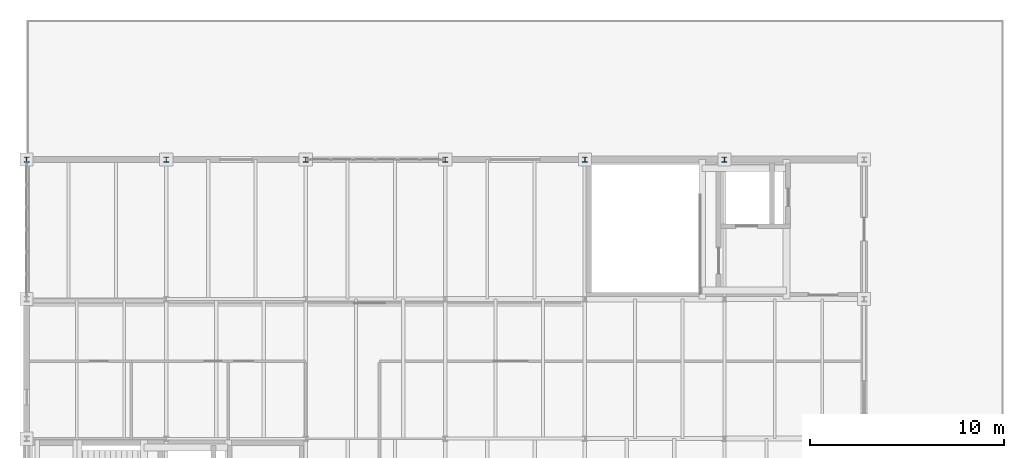
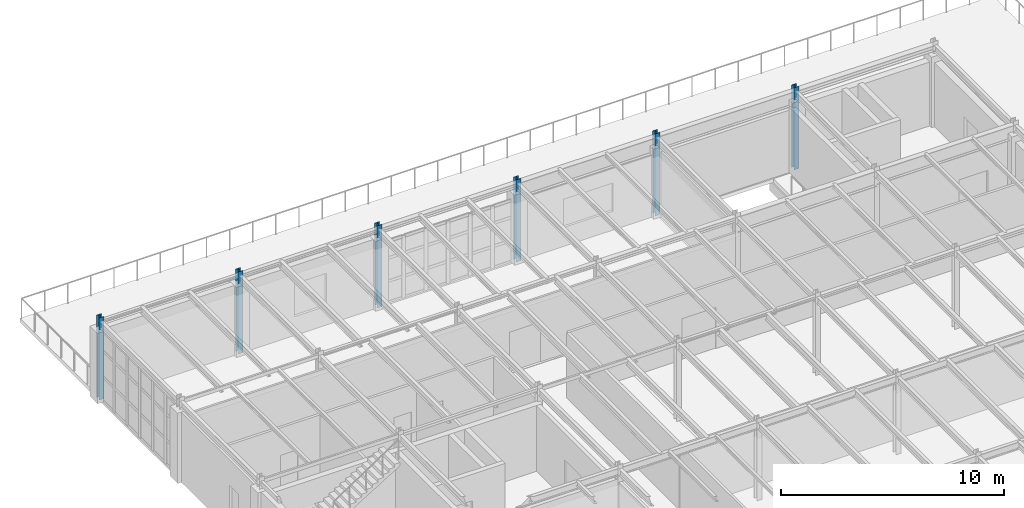
# One storey, part 6 of 36: 6 columns.
"""IFC4 building model written with IfcOpenShell, lengths in metres."""

import ifcopenshell
import ifcopenshell.guid

model = None  # the IFC model being written
_history = None  # IfcOwnerHistory: only IFC2X3 demands one
_inside = {}  # id of a spatial element -> (the spatial element, [elements in it])
_under = {}  # id of a project, library or spatial element -> (it, [spatial elements below it])
_declared = {}  # id of a project -> (the project, [libraries it declares])
_typed = {}  # id of a type object -> (the type object, [elements of that type])
_made_of = {}  # id of a material, layer set ... -> (it, [elements and type objects made of it])


def new_model(schema):
    """Start an empty IFC model of exactly this schema.

    Asked for "IFC4X3", IfcOpenShell would pick the latest addendum, in which some entities
    have other attributes; the version numbers below select the first issue.
    IFC2X3 requires an IfcOwnerHistory on every rooted entity: one is made here for all.
    """
    global model, _history
    if schema == "IFC4X3":
        model = ifcopenshell.file(schema_version=(4, 3, 0, 0))
    else:
        model = ifcopenshell.file(schema=schema)
    _inside.clear()
    _under.clear()
    _declared.clear()
    _typed.clear()
    _made_of.clear()
    _history = None
    if model.schema == "IFC2X3":
        org = make("IfcOrganization", Name="unknown")
        user = make(
            "IfcPersonAndOrganization",
            ThePerson=make("IfcPerson", FamilyName="unknown"),
            TheOrganization=org,
        )
        app = make(
            "IfcApplication",
            ApplicationDeveloper=org,
            Version="unknown",
            ApplicationFullName="unknown",
            ApplicationIdentifier="unknown",
        )
        _history = make(
            "IfcOwnerHistory",
            OwningUser=user,
            OwningApplication=app,
            ChangeAction="ADDED",
            CreationDate=0,
        )
    return model


def make(cls, **values):
    """One entity of the class cls with the attributes given. An attribute that is None is left unset."""
    return model.create_entity(
        cls, **{name: value for name, value in values.items() if value is not None}
    )


def rooted(cls, **values):
    """An entity with a GlobalId (a new one), such as an element, a storey or a relation."""
    return make(cls, GlobalId=ifcopenshell.guid.new(), OwnerHistory=_history, **values)


def si_unit(unit_type, name, prefix=None):
    """IfcSIUnit, for example si_unit("LENGTHUNIT", "METRE", prefix="MILLI")."""
    return make("IfcSIUnit", UnitType=unit_type, Prefix=prefix, Name=name)


def assignment(units):
    """IfcUnitAssignment: the units of a project."""
    return None if units is None else make("IfcUnitAssignment", Units=units)


def point(xyz):
    """IfcCartesianPoint."""
    return None if xyz is None else make("IfcCartesianPoint", Coordinates=xyz)


def direction(xyz):
    """IfcDirection."""
    return None if xyz is None else make("IfcDirection", DirectionRatios=xyz)


def frame(location, z_axis=None, x_axis=None):
    """IfcAxis2Placement3D, a coordinate frame: its origin and axes. An axis left out is left unset."""
    return make(
        "IfcAxis2Placement3D",
        Location=point(location),
        Axis=direction(z_axis),
        RefDirection=direction(x_axis),
    )


def frame_2d(location, x_axis=None):
    """IfcAxis2Placement2D, a coordinate frame in the plane: its origin and x axis."""
    return make(
        "IfcAxis2Placement2D", Location=point(location), RefDirection=direction(x_axis)
    )


def origin():
    """The frame at (0, 0, 0) with its axes left unset."""
    return frame((0.0, 0.0, 0.0))


def origin_2d():
    """The frame at (0, 0) in the plane with its x axis left unset."""
    return frame_2d((0.0, 0.0))


def place(relative_to, where):
    """IfcLocalPlacement: puts the frame where relative to a parent placement (None: the world)."""
    return make(
        "IfcLocalPlacement", PlacementRelTo=relative_to, RelativePlacement=where
    )


def context(
    kind, dimensions, precision=None, world=None, true_north=None, identifier=None
):
    """IfcGeometricRepresentationContext, for example the 3D "Model" context."""
    return make(
        "IfcGeometricRepresentationContext",
        ContextIdentifier=identifier,
        ContextType=kind,
        CoordinateSpaceDimension=dimensions,
        Precision=precision,
        WorldCoordinateSystem=world,
        TrueNorth=true_north,
    )


def subcontext(parent, identifier, kind, view, scale=None):
    """IfcGeometricRepresentationSubContext, for example "Body" below "Model"."""
    return make(
        "IfcGeometricRepresentationSubContext",
        ContextIdentifier=identifier,
        ContextType=kind,
        ParentContext=parent,
        TargetScale=scale,
        TargetView=view,
    )


def project(units=None, contexts=None):
    """IfcProject with its units and contexts."""
    return rooted(
        "IfcProject",
        Name="project",
        RepresentationContexts=contexts,
        UnitsInContext=assignment(units),
    )


def spatial(cls, under=None, at=None, **own):
    """A site, building, storey or space (cls), placed at a placement, below another one or the project."""
    s = rooted(cls, ObjectPlacement=at, **own)
    if under is not None:
        _under.setdefault(under.id(), (under, []))[1].append(s)
    return s


def profile(cls, at=None, kind="AREA", **sizes):
    """A parametric profile (cls). Its sizes go by their IFC names, for example OverallWidth=200.0."""
    return make(cls, ProfileType=kind, Position=at, **sizes)


def i_section(**sizes):
    """IfcIShapeProfileDef."""
    return profile("IfcIShapeProfileDef", **sizes)


def extrude(swept, where, along, depth):
    """IfcExtrudedAreaSolid: the profile swept, set in the frame where, extruded along a direction by depth."""
    return make(
        "IfcExtrudedAreaSolid",
        SweptArea=swept,
        Position=where,
        ExtrudedDirection=direction(along),
        Depth=depth,
    )


def shape(context_of_items, identifier, shape_type, items):
    """IfcShapeRepresentation: the items that make up one representation, for example the "Body"."""
    return make(
        "IfcShapeRepresentation",
        ContextOfItems=context_of_items,
        RepresentationIdentifier=identifier,
        RepresentationType=shape_type,
        Items=items,
    )


def material(Name=None, Category=None):
    """IfcMaterial."""
    return make("IfcMaterial", Name=Name, Category=Category)


def material_profile(
    of_material, cross_section, Name=None, Category=None, Priority=None
):
    """IfcMaterialProfile: a cross section and its material."""
    return make(
        "IfcMaterialProfile",
        Name=Name,
        Material=of_material,
        Profile=cross_section,
        Priority=Priority,
        Category=Category,
    )


def profile_set(profiles, Name=None, composite=None):
    """IfcMaterialProfileSet."""
    return make(
        "IfcMaterialProfileSet",
        Name=Name,
        MaterialProfiles=profiles,
        CompositeProfile=composite,
    )


def made_of(thing, what):
    """Note that an element or type object is made of a material, layer set ...; save() writes the relation."""
    if what is not None:
        _made_of.setdefault(what.id(), (what, []))[1].append(thing)
    return thing


def type_object(cls, material=None, **own):
    """A type object (cls), such as IfcWallType, which elements share."""
    return made_of(rooted(cls, **own), material)


def element(
    cls,
    number,
    at=None,
    inside=None,
    cuts=None,
    type_object=None,
    material=None,
    context=None,
    identifier="Body",
    shape_type=None,
    held_by="IfcProductDefinitionShape",
    body=None,
    shapes=None,
    **own,
):
    """One element of the class cls, such as IfcWall. Its Tag is "e" and its number.

    at: its placement. inside: the storey or other place that contains it. cuts: it is an
    opening in that element (IfcRelVoidsElement). A single representation is given by context,
    identifier, shape_type and body (its items); several are given by shapes. held_by: the class
    of the entity that holds the representations. save() writes the other relations.
    """
    e = rooted(cls, Tag="e%d" % number, ObjectPlacement=at, **own)
    if body is not None:
        shapes = [shape(context, identifier, shape_type, body)]
    if shapes is not None:
        e.Representation = make(held_by, Representations=shapes)
    if inside is not None:
        _inside.setdefault(inside.id(), (inside, []))[1].append(e)
    if cuts is not None:
        rooted(
            "IfcRelVoidsElement", RelatingBuildingElement=cuts, RelatedOpeningElement=e
        )
    if type_object is not None:
        _typed.setdefault(type_object.id(), (type_object, []))[1].append(e)
    return made_of(e, material)


def aggregate(whole, parts):
    """IfcRelAggregates: a whole, such as a stair, and the parts it consists of."""
    return rooted("IfcRelAggregates", RelatingObject=whole, RelatedObjects=parts)


def save(model, path):
    """Write the relations noted so far, then the file.

    IfcRelAggregates (storeys below a building ...), IfcRelContainedInSpatialStructure (elements
    in a storey), IfcRelDefinesByType, IfcRelAssociatesMaterial and IfcRelDeclares: one each for
    every whole, place, type object, material and project.
    """
    for whole, parts in _under.values():
        aggregate(whole, parts)
    for where, things in _inside.values():
        rooted(
            "IfcRelContainedInSpatialStructure",
            RelatedElements=things,
            RelatingStructure=where,
        )
    for kind, things in _typed.values():
        rooted("IfcRelDefinesByType", RelatedObjects=things, RelatingType=kind)
    for what, things in _made_of.values():
        rooted("IfcRelAssociatesMaterial", RelatedObjects=things, RelatingMaterial=what)
    for by, libraries in _declared.values():
        rooted("IfcRelDeclares", RelatingContext=by, RelatedDefinitions=libraries)
    model.write(path)


model = new_model("IFC4")

# Units and contexts
model_context = context("Model", 3, precision=1e-05, world=origin(), true_north=direction((0.0, 1.0)))
body_context = subcontext(model_context, "Body", "Model", "MODEL_VIEW")
ifc_project = project(units=[si_unit("LENGTHUNIT", "METRE"), si_unit("AREAUNIT", "SQUARE_METRE"), si_unit("VOLUMEUNIT", "CUBIC_METRE"), si_unit("PLANEANGLEUNIT", "RADIAN"), si_unit("MASSUNIT", "GRAM", prefix="KILO")], contexts=[model_context])

# Site, building, storey
site_placement = place(None, origin())
site = spatial("IfcSite", under=ifc_project, at=site_placement, CompositionType="ELEMENT")
building_placement = place(site_placement, origin())
building = spatial("IfcBuilding", under=site, at=building_placement, Name="Kemerveld Promenade Tramway Depot", CompositionType="ELEMENT")
storey_placement = place(building_placement, frame((0.0, 0.0, 14.39990234375)))
storey = spatial("IfcBuildingStorey", under=building, at=storey_placement, Name="L03", CompositionType="ELEMENT", Elevation=14.39990234375)

# Columns
ifc_material = material(Name="Steel S355", Category="steel")
ifc_material_profile = material_profile(ifc_material, i_section(OverallWidth=0.25634765625, OverallDepth=0.26025390625, WebThickness=0.01025390625, FlangeThickness=0.017333984375, FilletRadius=0.0126953125, at=origin_2d()), Name="254x254x89 UC")
ifc_profile_set = profile_set([ifc_material_profile], Name="Steel S355")
column_type = type_object("IfcColumnType", Name="COL-S08", PredefinedType="COLUMN", material=ifc_profile_set)
for number, where, z_axis, x_axis, name in (
    (1, (0.0, 64.800048828125, 0.0), (0.0, 0.0, 1.0), (1.0, 0.0, 0.0), "COL-L03-01-K"),
    (2, (7.199951171875, 64.800048828125, 0.0), (0.0, 0.0, 1.0), (1.0, 0.0, 0.0), "COL-L03-02-K"),
    (3, (14.39990234375, 64.800048828125, 0.0), (0.0, 0.0, 1.0), (1.0, 0.0, 0.0), "COL-L03-03-K"),
    (4, (21.60009765625, 64.800048828125, 0.0), (0.0, 0.0, 1.0), (1.0, 0.0, 0.0), "COL-L03-04-K"),
    (5, (28.800048828125, 64.800048828125, 0.0), (0.0, 0.0, 1.0), (1.0, 0.0, 0.0), "COL-L03-05-K"),
    (6, (36.0, 64.800048828125, 0.0), (0.0, 0.0, 1.0), (1.0, 0.0, 0.0), "COL-L03-06-K"),
):
    element("IfcColumn", number, at=place(storey_placement, frame(where, z_axis=z_axis, x_axis=x_axis)), inside=storey, type_object=column_type, Name=name, PredefinedType="COLUMN", context=body_context, shape_type="SweptSolid", body=[
        extrude(i_section(OverallWidth=0.25634765625, OverallDepth=0.26025390625, WebThickness=0.01025390625, FlangeThickness=0.017333984375, FilletRadius=0.0126953125, at=origin_2d()), origin(), (0.0, 0.0, 1.0), 4.5),
    ])

save(model, "model.ifc")
